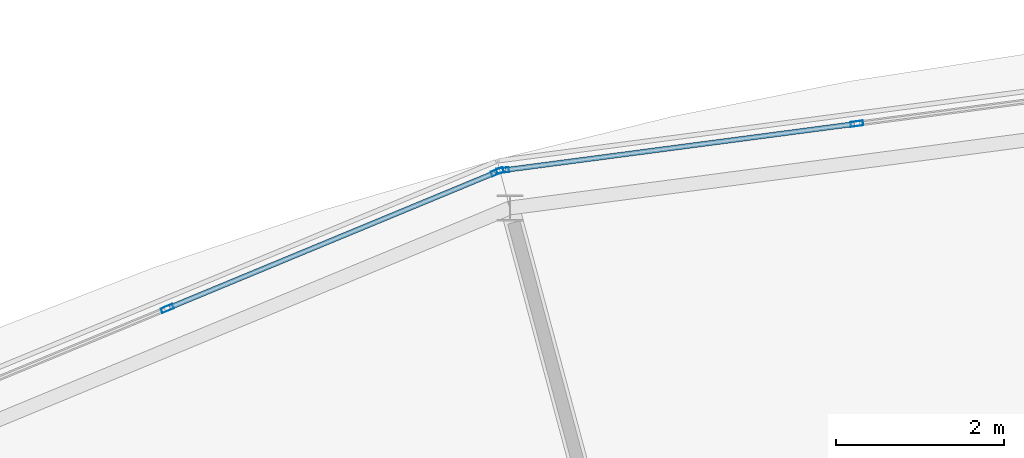
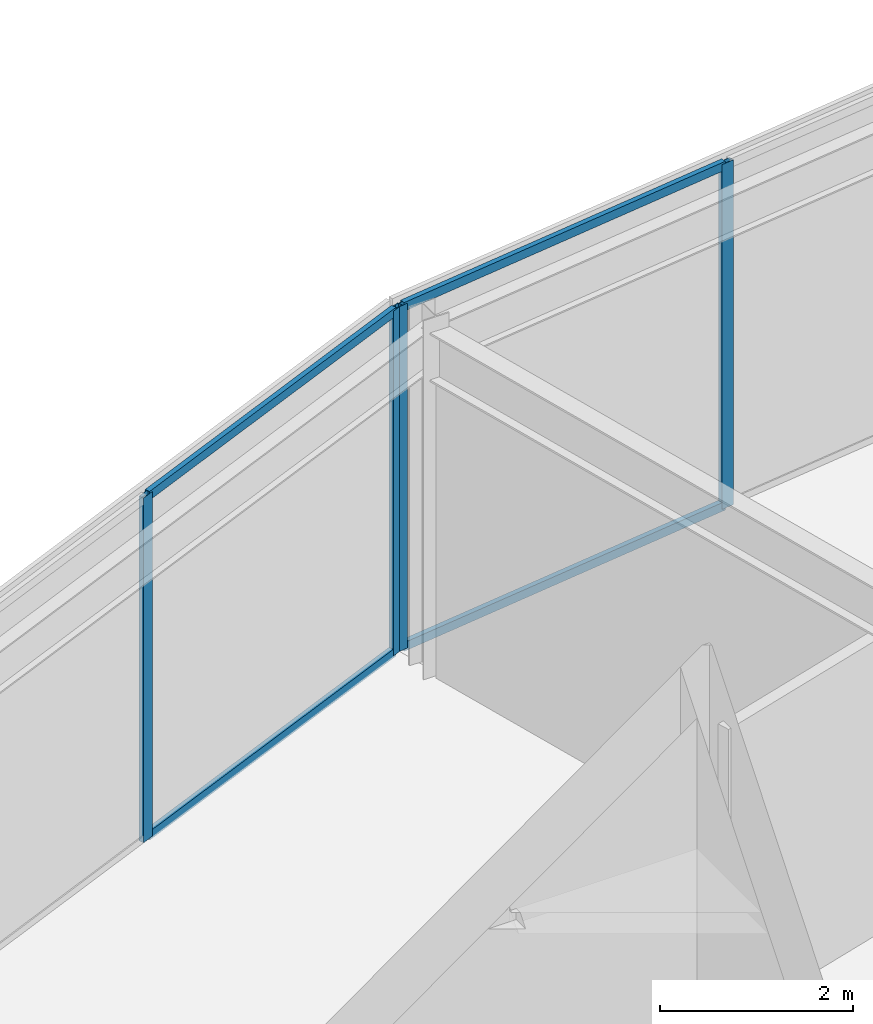
# One storey, part 62 of 116: 8 members, 2 elements without a shape of their own.
"""IFC4 building model written with IfcOpenShell, lengths in metres."""

from ifc_helpers import new_model, si_unit, direction, frame, origin, origin_2d, place, context, subcontext, project, spatial, hollow_rectangle, extrude, material, material_profile, profile_set, type_object, element, aggregate, save


model = new_model("IFC4")

# Units and contexts
model_context = context("Model", 3, precision=1e-05, world=origin(), true_north=direction((0.0, 1.0)))
body_context = subcontext(model_context, "Body", "Model", "MODEL_VIEW")
ifc_project = project(units=[si_unit("LENGTHUNIT", "METRE"), si_unit("AREAUNIT", "SQUARE_METRE"), si_unit("VOLUMEUNIT", "CUBIC_METRE"), si_unit("PLANEANGLEUNIT", "RADIAN"), si_unit("MASSUNIT", "GRAM", prefix="KILO")], contexts=[model_context])

# Site, building, storey
site_placement = place(None, origin())
site = spatial("IfcSite", under=ifc_project, at=site_placement, CompositionType="ELEMENT")
building_placement = place(site_placement, origin())
building = spatial("IfcBuilding", under=site, at=building_placement, Name="Almandine Court Research Institute", CompositionType="ELEMENT")
storey_placement = place(building_placement, frame((0.0, 0.0, 14.35009765625)))
storey = spatial("IfcBuildingStorey", under=building, at=storey_placement, Name="L03", CompositionType="ELEMENT", Elevation=14.35009765625)

# Curtain wall, members
ifc_material_1 = material(Name="Unitised Curtain Wall Framing and Solar Glazing", Category="glass")
curtain_wall_type = type_object("IfcCurtainWallType", Name="CW-CWG-20", PredefinedType="USERDEFINED", material=ifc_material_1)
curtain_wall_1_placement = place(storey_placement, origin())
curtain_wall_1 = element("IfcCurtainWall", 1, at=curtain_wall_1_placement, inside=storey, type_object=curtain_wall_type, Name="L03 Stacked-Ring Drum Outer Unitised Glazing 06", ObjectType="UNITISED GLAZING", PredefinedType="USERDEFINED")
ifc_material_2 = material(Name="Anodised Aluminium AW-6063-T6", Category="aluminium")
ifc_material_profile_1 = material_profile(ifc_material_2, hollow_rectangle(XDim=0.06005859375, YDim=0.14990234375, WallThickness=0.00390625, at=origin_2d()), Name="ALU RHS 60x150x4")
ifc_profile_set_1 = profile_set([ifc_material_profile_1], Name="Anodised Aluminium AW-6063-T6")
member_type_1 = type_object("IfcMemberType", Name="CWMul-60x150", PredefinedType="MULLION", material=ifc_profile_set_1)
member_1_placement = place(storey_placement, frame((74.2587890625, 103.682861328125, 0.0), z_axis=(0.0, 0.0, 1.0), x_axis=(-0.130540891259, 0.991442926098, 0.0)))
member_1 = element("IfcMember", 2, at=member_1_placement, type_object=member_type_1, Name="CWG-20 mullion 1", PredefinedType="MULLION", context=body_context, shape_type="SweptSolid", body=[
    extrude(hollow_rectangle(XDim=0.06005859375, YDim=0.14990234375, WallThickness=0.00390625, at=origin_2d()), origin(), (0.0, 0.0, 1.0), 4.369873046875),
])
member_2_placement = place(storey_placement, frame((78.484619140625, 104.2392578125, 0.0), z_axis=(0.0, 0.0, 1.0), x_axis=(-0.130540891259, 0.991442926098, 0.0)))
member_2 = element("IfcMember", 3, at=member_2_placement, type_object=member_type_1, Name="CWG-20 mullion 2", PredefinedType="MULLION", context=body_context, shape_type="SweptSolid", body=[
    extrude(hollow_rectangle(XDim=0.06005859375, YDim=0.14990234375, WallThickness=0.00390625, at=origin_2d()), origin(), (0.0, 0.0, 1.0), 4.369873046875),
])

curtain_wall_2_placement = place(storey_placement, origin())
curtain_wall_2 = element("IfcCurtainWall", 4, at=curtain_wall_2_placement, inside=storey, type_object=curtain_wall_type, Name="L03 Stacked-Ring Drum Outer Unitised Glazing 07", ObjectType="UNITISED GLAZING", PredefinedType="USERDEFINED")
member_3_placement = place(storey_placement, frame((70.2548828125, 102.034423828125, 0.0), z_axis=(0.0, 0.0, 1.0), x_axis=(-0.382662689242, 0.923888124321, 0.0)))
member_3 = element("IfcMember", 5, at=member_3_placement, type_object=member_type_1, Name="CWG-20 mullion 3", PredefinedType="MULLION", context=body_context, shape_type="SweptSolid", body=[
    extrude(hollow_rectangle(XDim=0.06005859375, YDim=0.14990234375, WallThickness=0.00390625, at=origin_2d()), origin(), (0.0, 0.0, 1.0), 4.369873046875),
])
member_4_placement = place(storey_placement, frame((74.193359375, 103.66552734375, 0.0), z_axis=(0.0, 0.0, 1.0), x_axis=(-0.382662689242, 0.923888124321, 0.0)))
member_4 = element("IfcMember", 6, at=member_4_placement, type_object=member_type_1, Name="CWG-20 mullion 4", PredefinedType="MULLION", context=body_context, shape_type="SweptSolid", body=[
    extrude(hollow_rectangle(XDim=0.06005859375, YDim=0.14990234375, WallThickness=0.00390625, at=origin_2d()), origin(), (0.0, 0.0, 1.0), 4.369873046875),
])

# Member
ifc_material_profile_2 = material_profile(ifc_material_2, hollow_rectangle(XDim=0.06005859375, YDim=0.110107421875, WallThickness=0.00390625, at=origin_2d()), Name="ALU RHS 60x110x4")
ifc_profile_set_2 = profile_set([ifc_material_profile_2], Name="Anodised Aluminium AW-6063-T6")
member_type_2 = type_object("IfcMemberType", Name="CWTrn-60x110", PredefinedType="NOTDEFINED", material=ifc_profile_set_2)
member_5_placement = place(storey_placement, frame((74.28857421875, 103.686767578125, 0.02978515625), z_axis=(0.991442228753, 0.130546187402, 0.0), x_axis=(-0.130546187402, 0.991442228753, 0.0)))
member_5 = element("IfcMember", 7, at=member_5_placement, type_object=member_type_2, Name="CWG-20 transom 1.1", ObjectType="TRANSOM", PredefinedType="USERDEFINED", context=body_context, shape_type="SweptSolid", body=[
    extrude(hollow_rectangle(XDim=0.06005859375, YDim=0.110107421875, WallThickness=0.00390625, at=origin_2d()), origin(), (0.0, 0.0, 1.0), 4.2021484375),
])

member_6_placement = place(storey_placement, frame((74.28857421875, 103.686767578125, 4.33984375), z_axis=(0.991442228753, 0.130546187402, 0.0), x_axis=(-0.130546187402, 0.991442228753, 0.0)))
member_6 = element("IfcMember", 8, at=member_6_placement, type_object=member_type_2, Name="CWG-20 transom 1.2", ObjectType="TRANSOM", PredefinedType="USERDEFINED", context=body_context, shape_type="SweptSolid", body=[
    extrude(hollow_rectangle(XDim=0.06005859375, YDim=0.110107421875, WallThickness=0.00390625, at=origin_2d()), origin(), (0.0, 0.0, 1.0), 4.2021484375),
])

aggregate(curtain_wall_1, [member_1, member_2, member_5, member_6])

member_7_placement = place(storey_placement, frame((70.28271484375, 102.0458984375, 0.02978515625), z_axis=(0.923892933282, 0.382651078441, 0.0), x_axis=(-0.382651078441, 0.923892933282, 0.0)))
member_7 = element("IfcMember", 9, at=member_7_placement, type_object=member_type_2, Name="CWG-20 transom 3.1", ObjectType="TRANSOM", PredefinedType="USERDEFINED", context=body_context, shape_type="SweptSolid", body=[
    extrude(hollow_rectangle(XDim=0.06005859375, YDim=0.110107421875, WallThickness=0.00390625, at=origin_2d()), origin(), (0.0, 0.0, 1.0), 4.20263671875),
])

member_8_placement = place(storey_placement, frame((70.28271484375, 102.0458984375, 4.33984375), z_axis=(0.923892933282, 0.382651078441, 0.0), x_axis=(-0.382651078441, 0.923892933282, 0.0)))
member_8 = element("IfcMember", 10, at=member_8_placement, type_object=member_type_2, Name="CWG-20 transom 3.2", ObjectType="TRANSOM", PredefinedType="USERDEFINED", context=body_context, shape_type="SweptSolid", body=[
    extrude(hollow_rectangle(XDim=0.06005859375, YDim=0.110107421875, WallThickness=0.00390625, at=origin_2d()), origin(), (0.0, 0.0, 1.0), 4.20263671875),
])

aggregate(curtain_wall_2, [member_3, member_4, member_7, member_8])

save(model, "model.ifc")
